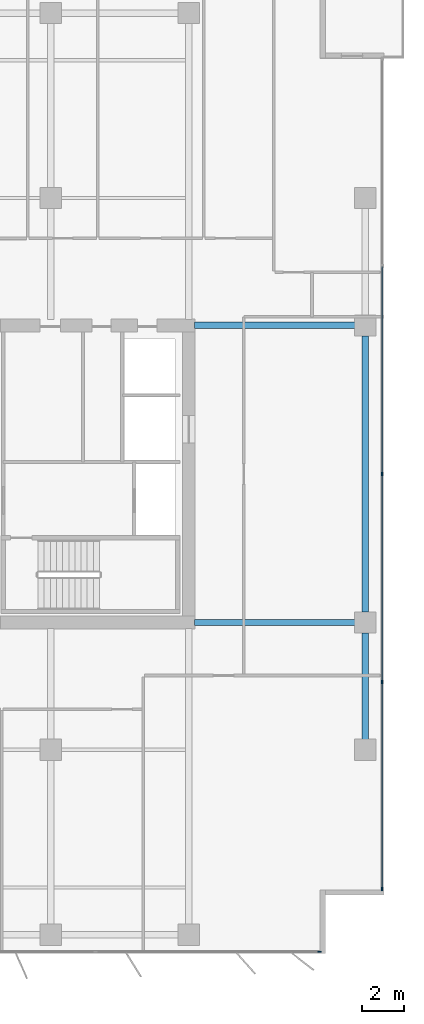
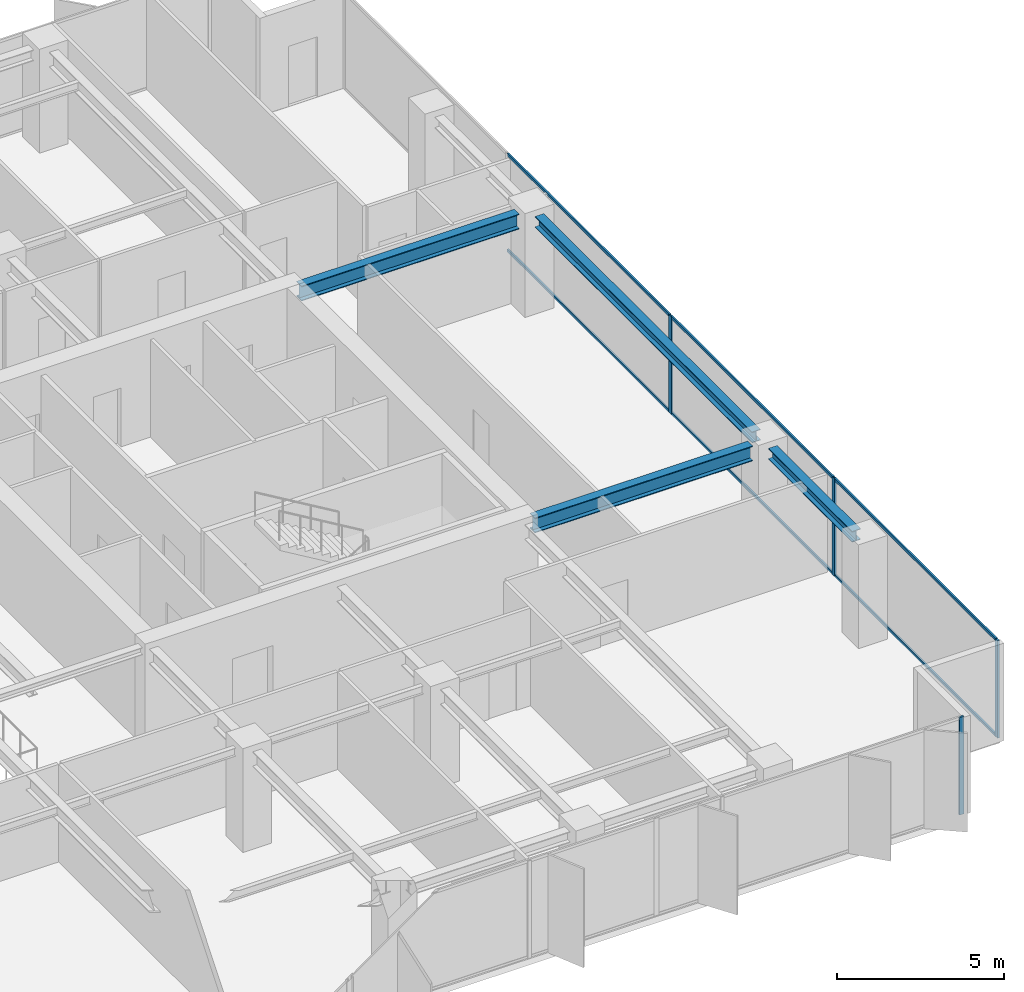
# One storey, part 12 of 22: 10 members, 4 beams, 2 elements without a shape of their own.
"""IFC4 building model written with IfcOpenShell, lengths in metres."""

import ifcopenshell
import ifcopenshell.guid

model = None  # the IFC model being written
_history = None  # IfcOwnerHistory: only IFC2X3 demands one
_inside = {}  # id of a spatial element -> (the spatial element, [elements in it])
_under = {}  # id of a project, library or spatial element -> (it, [spatial elements below it])
_declared = {}  # id of a project -> (the project, [libraries it declares])
_typed = {}  # id of a type object -> (the type object, [elements of that type])
_made_of = {}  # id of a material, layer set ... -> (it, [elements and type objects made of it])


def new_model(schema):
    """Start an empty IFC model of exactly this schema.

    Asked for "IFC4X3", IfcOpenShell would pick the latest addendum, in which some entities
    have other attributes; the version numbers below select the first issue.
    IFC2X3 requires an IfcOwnerHistory on every rooted entity: one is made here for all.
    """
    global model, _history
    if schema == "IFC4X3":
        model = ifcopenshell.file(schema_version=(4, 3, 0, 0))
    else:
        model = ifcopenshell.file(schema=schema)
    _inside.clear()
    _under.clear()
    _declared.clear()
    _typed.clear()
    _made_of.clear()
    _history = None
    if model.schema == "IFC2X3":
        org = make("IfcOrganization", Name="unknown")
        user = make(
            "IfcPersonAndOrganization",
            ThePerson=make("IfcPerson", FamilyName="unknown"),
            TheOrganization=org,
        )
        app = make(
            "IfcApplication",
            ApplicationDeveloper=org,
            Version="unknown",
            ApplicationFullName="unknown",
            ApplicationIdentifier="unknown",
        )
        _history = make(
            "IfcOwnerHistory",
            OwningUser=user,
            OwningApplication=app,
            ChangeAction="ADDED",
            CreationDate=0,
        )
    return model


def make(cls, **values):
    """One entity of the class cls with the attributes given. An attribute that is None is left unset."""
    return model.create_entity(
        cls, **{name: value for name, value in values.items() if value is not None}
    )


def rooted(cls, **values):
    """An entity with a GlobalId (a new one), such as an element, a storey or a relation."""
    return make(cls, GlobalId=ifcopenshell.guid.new(), OwnerHistory=_history, **values)


def si_unit(unit_type, name, prefix=None):
    """IfcSIUnit, for example si_unit("LENGTHUNIT", "METRE", prefix="MILLI")."""
    return make("IfcSIUnit", UnitType=unit_type, Prefix=prefix, Name=name)


def assignment(units):
    """IfcUnitAssignment: the units of a project."""
    return None if units is None else make("IfcUnitAssignment", Units=units)


def point(xyz):
    """IfcCartesianPoint."""
    return None if xyz is None else make("IfcCartesianPoint", Coordinates=xyz)


def direction(xyz):
    """IfcDirection."""
    return None if xyz is None else make("IfcDirection", DirectionRatios=xyz)


def frame(location, z_axis=None, x_axis=None):
    """IfcAxis2Placement3D, a coordinate frame: its origin and axes. An axis left out is left unset."""
    return make(
        "IfcAxis2Placement3D",
        Location=point(location),
        Axis=direction(z_axis),
        RefDirection=direction(x_axis),
    )


def frame_2d(location, x_axis=None):
    """IfcAxis2Placement2D, a coordinate frame in the plane: its origin and x axis."""
    return make(
        "IfcAxis2Placement2D", Location=point(location), RefDirection=direction(x_axis)
    )


def origin():
    """The frame at (0, 0, 0) with its axes left unset."""
    return frame((0.0, 0.0, 0.0))


def origin_2d():
    """The frame at (0, 0) in the plane with its x axis left unset."""
    return frame_2d((0.0, 0.0))


def place(relative_to, where):
    """IfcLocalPlacement: puts the frame where relative to a parent placement (None: the world)."""
    return make(
        "IfcLocalPlacement", PlacementRelTo=relative_to, RelativePlacement=where
    )


def context(
    kind, dimensions, precision=None, world=None, true_north=None, identifier=None
):
    """IfcGeometricRepresentationContext, for example the 3D "Model" context."""
    return make(
        "IfcGeometricRepresentationContext",
        ContextIdentifier=identifier,
        ContextType=kind,
        CoordinateSpaceDimension=dimensions,
        Precision=precision,
        WorldCoordinateSystem=world,
        TrueNorth=true_north,
    )


def subcontext(parent, identifier, kind, view, scale=None):
    """IfcGeometricRepresentationSubContext, for example "Body" below "Model"."""
    return make(
        "IfcGeometricRepresentationSubContext",
        ContextIdentifier=identifier,
        ContextType=kind,
        ParentContext=parent,
        TargetScale=scale,
        TargetView=view,
    )


def project(units=None, contexts=None):
    """IfcProject with its units and contexts."""
    return rooted(
        "IfcProject",
        Name="project",
        RepresentationContexts=contexts,
        UnitsInContext=assignment(units),
    )


def spatial(cls, under=None, at=None, **own):
    """A site, building, storey or space (cls), placed at a placement, below another one or the project."""
    s = rooted(cls, ObjectPlacement=at, **own)
    if under is not None:
        _under.setdefault(under.id(), (under, []))[1].append(s)
    return s


def profile(cls, at=None, kind="AREA", **sizes):
    """A parametric profile (cls). Its sizes go by their IFC names, for example OverallWidth=200.0."""
    return make(cls, ProfileType=kind, Position=at, **sizes)


def rectangle(**sizes):
    """IfcRectangleProfileDef."""
    return profile("IfcRectangleProfileDef", **sizes)


def i_section(**sizes):
    """IfcIShapeProfileDef."""
    return profile("IfcIShapeProfileDef", **sizes)


def extrude(swept, where, along, depth):
    """IfcExtrudedAreaSolid: the profile swept, set in the frame where, extruded along a direction by depth."""
    return make(
        "IfcExtrudedAreaSolid",
        SweptArea=swept,
        Position=where,
        ExtrudedDirection=direction(along),
        Depth=depth,
    )


def shape(context_of_items, identifier, shape_type, items):
    """IfcShapeRepresentation: the items that make up one representation, for example the "Body"."""
    return make(
        "IfcShapeRepresentation",
        ContextOfItems=context_of_items,
        RepresentationIdentifier=identifier,
        RepresentationType=shape_type,
        Items=items,
    )


def material(Name=None, Category=None):
    """IfcMaterial."""
    return make("IfcMaterial", Name=Name, Category=Category)


def layer(
    of_material, thickness, ventilated=None, Name=None, Category=None, Priority=None
):
    """IfcMaterialLayer: one layer of a wall or slab, of a material (None: an air gap)."""
    return make(
        "IfcMaterialLayer",
        Material=of_material,
        LayerThickness=thickness,
        IsVentilated=ventilated,
        Name=Name,
        Category=Category,
        Priority=Priority,
    )


def layer_set(layers, Name=None):
    """IfcMaterialLayerSet."""
    return make("IfcMaterialLayerSet", MaterialLayers=layers, LayerSetName=Name)


def material_profile(
    of_material, cross_section, Name=None, Category=None, Priority=None
):
    """IfcMaterialProfile: a cross section and its material."""
    return make(
        "IfcMaterialProfile",
        Name=Name,
        Material=of_material,
        Profile=cross_section,
        Priority=Priority,
        Category=Category,
    )


def profile_set(profiles, Name=None, composite=None):
    """IfcMaterialProfileSet."""
    return make(
        "IfcMaterialProfileSet",
        Name=Name,
        MaterialProfiles=profiles,
        CompositeProfile=composite,
    )


def made_of(thing, what):
    """Note that an element or type object is made of a material, layer set ...; save() writes the relation."""
    if what is not None:
        _made_of.setdefault(what.id(), (what, []))[1].append(thing)
    return thing


def type_object(cls, material=None, **own):
    """A type object (cls), such as IfcWallType, which elements share."""
    return made_of(rooted(cls, **own), material)


def element(
    cls,
    number,
    at=None,
    inside=None,
    cuts=None,
    type_object=None,
    material=None,
    context=None,
    identifier="Body",
    shape_type=None,
    held_by="IfcProductDefinitionShape",
    body=None,
    shapes=None,
    **own,
):
    """One element of the class cls, such as IfcWall. Its Tag is "e" and its number.

    at: its placement. inside: the storey or other place that contains it. cuts: it is an
    opening in that element (IfcRelVoidsElement). A single representation is given by context,
    identifier, shape_type and body (its items); several are given by shapes. held_by: the class
    of the entity that holds the representations. save() writes the other relations.
    """
    e = rooted(cls, Tag="e%d" % number, ObjectPlacement=at, **own)
    if body is not None:
        shapes = [shape(context, identifier, shape_type, body)]
    if shapes is not None:
        e.Representation = make(held_by, Representations=shapes)
    if inside is not None:
        _inside.setdefault(inside.id(), (inside, []))[1].append(e)
    if cuts is not None:
        rooted(
            "IfcRelVoidsElement", RelatingBuildingElement=cuts, RelatedOpeningElement=e
        )
    if type_object is not None:
        _typed.setdefault(type_object.id(), (type_object, []))[1].append(e)
    return made_of(e, material)


def aggregate(whole, parts):
    """IfcRelAggregates: a whole, such as a stair, and the parts it consists of."""
    return rooted("IfcRelAggregates", RelatingObject=whole, RelatedObjects=parts)


def save(model, path):
    """Write the relations noted so far, then the file.

    IfcRelAggregates (storeys below a building ...), IfcRelContainedInSpatialStructure (elements
    in a storey), IfcRelDefinesByType, IfcRelAssociatesMaterial and IfcRelDeclares: one each for
    every whole, place, type object, material and project.
    """
    for whole, parts in _under.values():
        aggregate(whole, parts)
    for where, things in _inside.values():
        rooted(
            "IfcRelContainedInSpatialStructure",
            RelatedElements=things,
            RelatingStructure=where,
        )
    for kind, things in _typed.values():
        rooted("IfcRelDefinesByType", RelatedObjects=things, RelatingType=kind)
    for what, things in _made_of.values():
        rooted("IfcRelAssociatesMaterial", RelatedObjects=things, RelatingMaterial=what)
    for by, libraries in _declared.values():
        rooted("IfcRelDeclares", RelatingContext=by, RelatedDefinitions=libraries)
    model.write(path)


model = new_model("IFC4")

# Units and contexts
model_context = context("Model", 3, precision=1e-05, world=origin(), true_north=direction((0.0, 1.0)))
body_context = subcontext(model_context, "Body", "Model", "MODEL_VIEW")
ifc_project = project(units=[si_unit("LENGTHUNIT", "METRE"), si_unit("AREAUNIT", "SQUARE_METRE"), si_unit("VOLUMEUNIT", "CUBIC_METRE"), si_unit("PLANEANGLEUNIT", "RADIAN"), si_unit("MASSUNIT", "GRAM", prefix="KILO")], contexts=[model_context])

# Site, building, storey
site_placement = place(None, origin())
site = spatial("IfcSite", under=ifc_project, at=site_placement, CompositionType="ELEMENT")
building_placement = place(site_placement, origin())
building = spatial("IfcBuilding", under=site, at=building_placement, Name="Putna Gate Headquarters", CompositionType="ELEMENT")
storey_placement = place(building_placement, frame((0.0, 0.0, 189.800048828125)))
storey = spatial("IfcBuildingStorey", under=building, at=storey_placement, Name="L47", CompositionType="ELEMENT", Elevation=189.800048828125)

# Beams
ifc_material_1 = material(Name="Steel S355J2", Category="steel")
ifc_material_profile_1 = material_profile(ifc_material_1, i_section(OverallWidth=0.300048828125, OverallDepth=0.550048828125, WebThickness=0.014892578125, FlangeThickness=0.029052734375, at=origin_2d()), Name="Steel S355J2")
ifc_profile_set_1 = profile_set([ifc_material_profile_1], Name="Steel S355J2")
beam_type_1 = type_object("IfcBeamType", Name="BM-GIRD-Z3-HEB550", PredefinedType="USERDEFINED", material=ifc_profile_set_1)
for number, where, z_axis, x_axis, name in (
    (1, (65.284912109375, 19.0, 3.296875), (1.0, 0.0, 0.0), (0.0, 1.0, 0.0), "L47 East Wing Girder Y19"),
    (2, (65.284912109375, 33.0, 3.296875), (1.0, 0.0, 0.0), (0.0, 1.0, 0.0), "L47 East Wing Girder Y33"),
):
    element("IfcBeam", number, at=place(storey_placement, frame(where, z_axis=z_axis, x_axis=x_axis)), inside=storey, type_object=beam_type_1, Name=name, ObjectType="GIRDER", PredefinedType="USERDEFINED", context=body_context, shape_type="SweptSolid", body=[
        extrude(i_section(OverallWidth=0.300048828125, OverallDepth=0.550048828125, WebThickness=0.014892578125, FlangeThickness=0.029052734375, at=origin_2d()), origin(), (0.0, 0.0, 1.0), 7.547119140625),
    ])
ifc_material_profile_2 = material_profile(ifc_material_1, i_section(OverallWidth=0.300048828125, OverallDepth=0.39990234375, WebThickness=0.013427734375, FlangeThickness=0.02392578125, at=origin_2d()), Name="Steel S355J2")
ifc_profile_set_2 = profile_set([ifc_material_profile_2], Name="Steel S355J2")
beam_type_2 = type_object("IfcBeamType", Name="BM-SPAN-Z3-HEB400", PredefinedType="SPANDREL", material=ifc_profile_set_2)
beam_1_placement = place(storey_placement, frame((73.320068359375, 13.488037109375, 3.3720703125), z_axis=(0.0, 1.0, 0.0), x_axis=(-1.0, 0.0, 0.0)))
element("IfcBeam", 3, at=beam_1_placement, inside=storey, type_object=beam_type_2, Name="L47 E End Spandrel 1", PredefinedType="SPANDREL", context=body_context, shape_type="SweptSolid", body=[
    extrude(i_section(OverallWidth=0.300048828125, OverallDepth=0.39990234375, WebThickness=0.013427734375, FlangeThickness=0.02392578125, at=origin_2d()), origin(), (0.0, 0.0, 1.0), 5.02392578125),
])
beam_2_placement = place(storey_placement, frame((73.320068359375, 19.488037109375, 3.3720703125), z_axis=(0.0, 1.0, 0.0), x_axis=(-1.0, 0.0, 0.0)))
element("IfcBeam", 4, at=beam_2_placement, inside=storey, type_object=beam_type_2, Name="L47 E End Spandrel 2", PredefinedType="SPANDREL", context=body_context, shape_type="SweptSolid", body=[
    extrude(i_section(OverallWidth=0.300048828125, OverallDepth=0.39990234375, WebThickness=0.013427734375, FlangeThickness=0.02392578125, at=origin_2d()), origin(), (0.0, 0.0, 1.0), 13.02392578125),
])

# Curtain wall, member
ifc_material_2 = material(Name="Anodised bronze aluminium curtain wall", Category="aluminium")
ifc_layer = layer(ifc_material_2, 0.159912109375)
ifc_layer_set = layer_set([ifc_layer], Name="Anodised bronze aluminium curtain wall")
curtain_wall_type = type_object("IfcCurtainWallType", Name="CW-SYS-Z3", PredefinedType="USERDEFINED", material=ifc_layer_set)
curtain_wall_1_placement = place(storey_placement, origin())
curtain_wall_1 = element("IfcCurtainWall", 5, at=curtain_wall_1_placement, inside=storey, type_object=curtain_wall_type, Name="L47 South East Curtain Wall", ObjectType="STICK CURTAIN WALL", PredefinedType="USERDEFINED")
ifc_material_3 = material(Name="Anodised bronze aluminium EN AW-6060", Category="aluminium")
ifc_material_profile_3 = material_profile(ifc_material_3, rectangle(XDim=0.06494140625, YDim=0.159912109375, at=origin_2d()), Name="Anodised bronze aluminium EN AW-6060")
ifc_profile_set_3 = profile_set([ifc_material_profile_3], Name="Anodised bronze aluminium EN AW-6060")
member_type_1 = type_object("IfcMemberType", Name="MULL-CWM-3", PredefinedType="MULLION", material=ifc_profile_set_3)
member_1_placement = place(storey_placement, frame((71.16748046875, 3.47998046875, 0.0), z_axis=(0.0, 0.0, 1.0), x_axis=(0.0, 1.0, 0.0)))
member_1 = element("IfcMember", 6, at=member_1_placement, type_object=member_type_1, Name="CWS-3 mullion 3", PredefinedType="MULLION", context=body_context, shape_type="SweptSolid", body=[
    extrude(rectangle(XDim=0.06494140625, YDim=0.159912109375, at=origin_2d()), origin(), (0.0, 0.0, 1.0), 3.572021484375),
])
aggregate(curtain_wall_1, [member_1])

# Curtain wall, members
curtain_wall_2_placement = place(storey_placement, origin())
curtain_wall_2 = element("IfcCurtainWall", 7, at=curtain_wall_2_placement, inside=storey, type_object=curtain_wall_type, Name="L47 East Curtain Wall", ObjectType="STICK CURTAIN WALL", PredefinedType="USERDEFINED")
member_2_placement = place(storey_placement, frame((74.1201171875, 6.4326171875, 0.0), z_axis=(0.0, 0.0, 1.0), x_axis=(-1.0, 0.0, 0.0)))
member_2 = element("IfcMember", 8, at=member_2_placement, type_object=member_type_1, Name="CWS-3 mullion 1", PredefinedType="MULLION", context=body_context, shape_type="SweptSolid", body=[
    extrude(rectangle(XDim=0.06494140625, YDim=0.159912109375, at=origin_2d()), origin(), (0.0, 0.0, 1.0), 3.572021484375),
])
member_3_placement = place(storey_placement, frame((74.1201171875, 16.199951171875, 0.0), z_axis=(0.0, 0.0, 1.0), x_axis=(-1.0, 0.0, 0.0)))
member_3 = element("IfcMember", 9, at=member_3_placement, type_object=member_type_1, Name="CWS-3 mullion 2", PredefinedType="MULLION", context=body_context, shape_type="SweptSolid", body=[
    extrude(rectangle(XDim=0.06494140625, YDim=0.159912109375, at=origin_2d()), origin(), (0.0, 0.0, 1.0), 3.572021484375),
])
member_4_placement = place(storey_placement, frame((74.1201171875, 26.0, 0.0), z_axis=(0.0, 0.0, 1.0), x_axis=(-1.0, 0.0, 0.0)))
member_4 = element("IfcMember", 10, at=member_4_placement, type_object=member_type_1, Name="CWS-3 mullion 3", PredefinedType="MULLION", context=body_context, shape_type="SweptSolid", body=[
    extrude(rectangle(XDim=0.06494140625, YDim=0.159912109375, at=origin_2d()), origin(), (0.0, 0.0, 1.0), 3.572021484375),
])
ifc_material_profile_4 = material_profile(ifc_material_3, rectangle(XDim=0.06005859375, YDim=0.10009765625, at=origin_2d()), Name="Anodised bronze aluminium EN AW-6060")
ifc_profile_set_4 = profile_set([ifc_material_profile_4], Name="Anodised bronze aluminium EN AW-6060")
member_type_2 = type_object("IfcMemberType", Name="TRAN-CWT-3", PredefinedType="USERDEFINED", material=ifc_profile_set_4)
member_5_placement = place(storey_placement, frame((74.1201171875, 6.465087890625, 0.030029296875), z_axis=(0.0, 1.0, 0.0), x_axis=(-1.0, 0.0, 0.0)))
member_5 = element("IfcMember", 11, at=member_5_placement, type_object=member_type_2, Name="CWS-3 transom 1.1", ObjectType="TRANSOM", PredefinedType="USERDEFINED", context=body_context, shape_type="SweptSolid", body=[
    extrude(rectangle(XDim=0.06005859375, YDim=0.10009765625, at=origin_2d()), origin(), (0.0, 0.0, 1.0), 9.702392578125),
])
member_6_placement = place(storey_placement, frame((74.1201171875, 6.465087890625, 3.5419921875), z_axis=(0.0, 1.0, 0.0), x_axis=(-1.0, 0.0, 0.0)))
member_6 = element("IfcMember", 12, at=member_6_placement, type_object=member_type_2, Name="CWS-3 transom 1.2", ObjectType="TRANSOM", PredefinedType="USERDEFINED", context=body_context, shape_type="SweptSolid", body=[
    extrude(rectangle(XDim=0.06005859375, YDim=0.10009765625, at=origin_2d()), origin(), (0.0, 0.0, 1.0), 9.702392578125),
])
member_7_placement = place(storey_placement, frame((74.1201171875, 16.232421875, 0.030029296875), z_axis=(0.0, 1.0, 0.0), x_axis=(-1.0, 0.0, 0.0)))
member_7 = element("IfcMember", 13, at=member_7_placement, type_object=member_type_2, Name="CWS-3 transom 2.1", ObjectType="TRANSOM", PredefinedType="USERDEFINED", context=body_context, shape_type="SweptSolid", body=[
    extrude(rectangle(XDim=0.06005859375, YDim=0.10009765625, at=origin_2d()), origin(), (0.0, 0.0, 1.0), 9.735107421875),
])
member_8_placement = place(storey_placement, frame((74.1201171875, 16.232421875, 3.5419921875), z_axis=(0.0, 1.0, 0.0), x_axis=(-1.0, 0.0, 0.0)))
member_8 = element("IfcMember", 14, at=member_8_placement, type_object=member_type_2, Name="CWS-3 transom 2.2", ObjectType="TRANSOM", PredefinedType="USERDEFINED", context=body_context, shape_type="SweptSolid", body=[
    extrude(rectangle(XDim=0.06005859375, YDim=0.10009765625, at=origin_2d()), origin(), (0.0, 0.0, 1.0), 9.735107421875),
])
member_9_placement = place(storey_placement, frame((74.1201171875, 26.032470703125, 0.030029296875), z_axis=(0.0, 1.0, 0.0), x_axis=(-1.0, 0.0, 0.0)))
member_9 = element("IfcMember", 15, at=member_9_placement, type_object=member_type_2, Name="CWS-3 transom 3.1", ObjectType="TRANSOM", PredefinedType="USERDEFINED", context=body_context, shape_type="SweptSolid", body=[
    extrude(rectangle(XDim=0.06005859375, YDim=0.10009765625, at=origin_2d()), origin(), (0.0, 0.0, 1.0), 9.735107421875),
])
member_10_placement = place(storey_placement, frame((74.1201171875, 26.032470703125, 3.5419921875), z_axis=(0.0, 1.0, 0.0), x_axis=(-1.0, 0.0, 0.0)))
member_10 = element("IfcMember", 16, at=member_10_placement, type_object=member_type_2, Name="CWS-3 transom 3.2", ObjectType="TRANSOM", PredefinedType="USERDEFINED", context=body_context, shape_type="SweptSolid", body=[
    extrude(rectangle(XDim=0.06005859375, YDim=0.10009765625, at=origin_2d()), origin(), (0.0, 0.0, 1.0), 9.735107421875),
])
aggregate(curtain_wall_2, [member_2, member_3, member_4, member_5, member_6, member_7, member_8, member_9, member_10])

save(model, "model.ifc")
